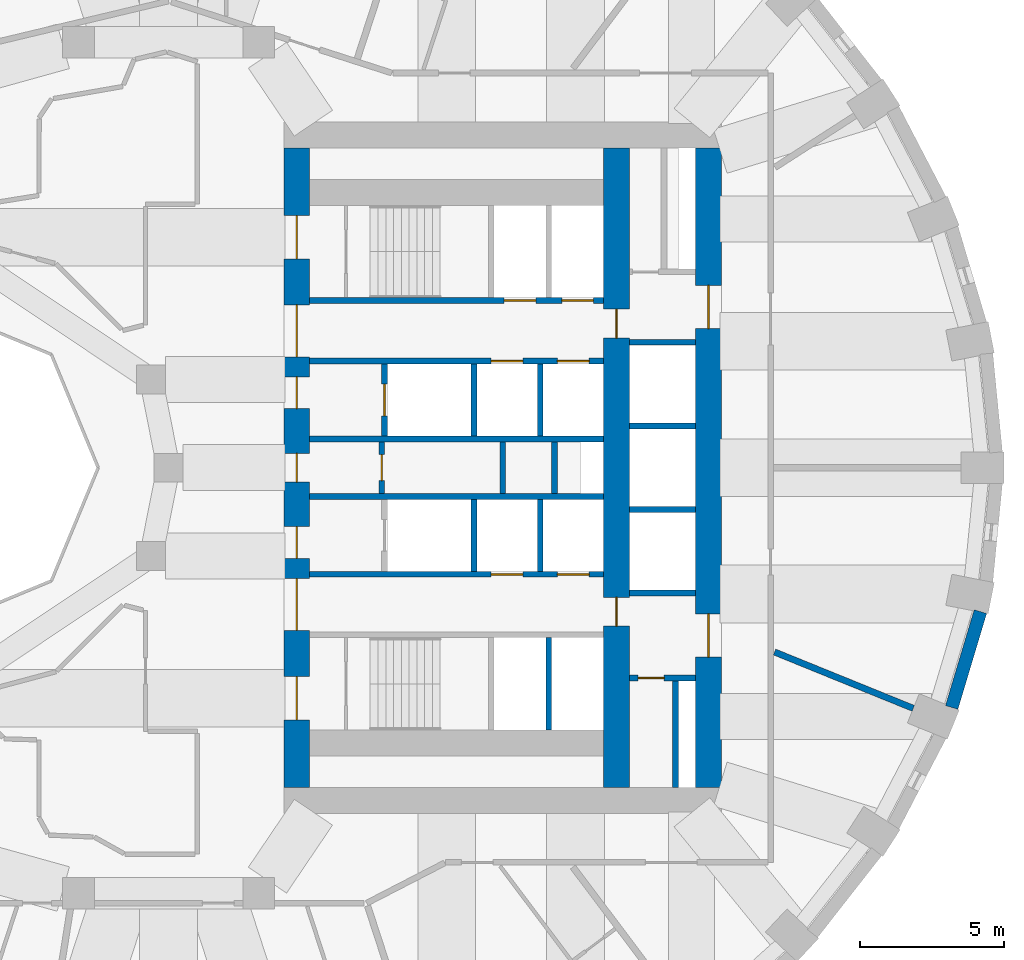
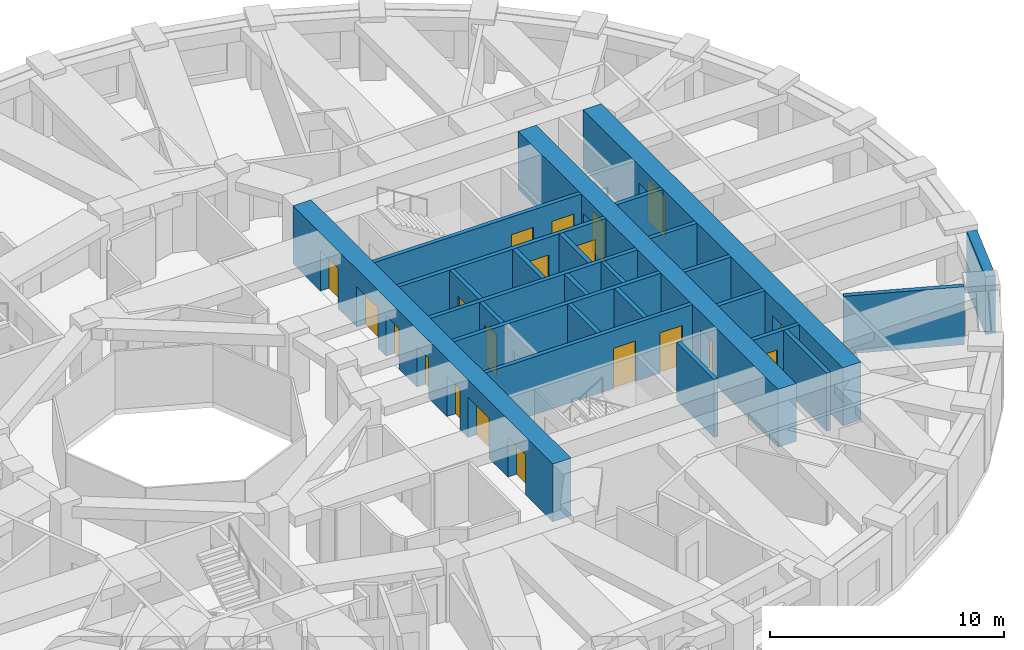
# One storey, part 6 of 13: 25 walls, 20 doors, 20 openings.
"""IFC4 building model written with IfcOpenShell, lengths in metres."""

from ifc_helpers import new_model, si_unit, direction, frame, frame_2d, origin, place, context, subcontext, project, spatial, rectangle, extrude, material, layer, layer_set, type_object, element, fill, save


model = new_model("IFC4")

# Units and contexts
model_context = context("Model", 3, precision=1e-05, world=origin(), true_north=direction((0.0, 1.0)))
body_context = subcontext(model_context, "Body", "Model", "MODEL_VIEW")
ifc_project = project(units=[si_unit("LENGTHUNIT", "METRE"), si_unit("AREAUNIT", "SQUARE_METRE"), si_unit("VOLUMEUNIT", "CUBIC_METRE"), si_unit("PLANEANGLEUNIT", "RADIAN"), si_unit("MASSUNIT", "GRAM", prefix="KILO")], contexts=[model_context])

# Site, building, storey
site_placement = place(None, origin())
site = spatial("IfcSite", under=ifc_project, at=site_placement, CompositionType="ELEMENT")
building_placement = place(site_placement, origin())
building = spatial("IfcBuilding", under=site, at=building_placement, Name="Taillehof Tower", CompositionType="ELEMENT")
storey_placement = place(building_placement, frame((0.0, 0.0, 77.800048828125)))
storey = spatial("IfcBuildingStorey", under=building, at=storey_placement, Name="L21", CompositionType="ELEMENT", Elevation=77.800048828125)

# Wall
ifc_material_1 = material(Name="Brick masonry", Category="masonry")
ifc_layer_1 = layer(ifc_material_1, 0.449951171875)
ifc_layer_set_1 = layer_set([ifc_layer_1], Name="Brick infill wall 450")
wall_type_1 = type_object("IfcWallType", Name="Brick infill wall 450", PredefinedType="SOLIDWALL", material=ifc_layer_set_1)
wall_1_placement = place(storey_placement, frame((27.184814453125, -8.322998046875, 0.0), z_axis=(0.0, 0.0, 1.0), x_axis=(0.287064133733, 0.957911364963, 0.0)))
element("IfcWall", 1, at=wall_1_placement, inside=storey, type_object=wall_type_1, Name="Brick wall L21 bay 35", PredefinedType="SOLIDWALL", context=body_context, shape_type="SweptSolid", body=[
    extrude(rectangle(XDim=3.473388671875, YDim=0.449951171875, at=frame_2d((1.73681640625, 0.0))), origin(), (0.0, 0.0, 1.0), 3.02001953125),
])

# Wall, opening, door
ifc_material_2 = material(Name="Calcium silicate masonry", Category="masonry")
ifc_layer_2 = layer(ifc_material_2, 0.199951171875)
ifc_layer_set_2 = layer_set([ifc_layer_2], Name="Compartment wall calcium silicate 200")
wall_type_2 = type_object("IfcWallType", Name="Compartment wall calcium silicate 200", PredefinedType="PARTITIONING", material=ifc_layer_set_2)
wall_2_placement = place(storey_placement, frame((7.39990234375, -0.89990234375, 0.0), z_axis=(0.0, 0.0, 1.0), x_axis=(0.0, 1.0, 0.0)))
wall_2 = element("IfcWall", 2, at=wall_2_placement, inside=storey, type_object=wall_type_2, Name="Compartment wall FW", PredefinedType="PARTITIONING", context=body_context, shape_type="SweptSolid", body=[
    extrude(rectangle(XDim=1.7998046875, YDim=0.199951171875, at=frame_2d((0.89990234375, 0.0))), origin(), (0.0, 0.0, 1.0), 3.02001953125),
])
opening_1_placement = place(wall_2_placement, frame((0.449951171875, 0.0, 0.0)))
opening_1 = element("IfcOpeningElement", 3, at=opening_1_placement, cuts=wall_2, Name="Opening D2114", PredefinedType="OPENING", context=body_context, shape_type="SweptSolid", body=[
    extrude(rectangle(XDim=0.89990234375, YDim=2.10009765625, at=frame_2d((0.449951171875, 1.050048828125))), frame((0.0, 0.10986328125, 0.0), z_axis=(0.0, -1.0, 0.0), x_axis=(1.0, 0.0, 0.0)), (0.0, 0.0, 1.0), 0.219970703125),
])
ifc_material_3 = material(Name="Steel-faced fire door", Category="steel")
door_type_1 = type_object("IfcDoorType", Name="Riser and service room door 900x2100", OperationType="SINGLE_SWING_LEFT", PredefinedType="DOOR", material=ifc_material_3)
door_1_placement = place(opening_1_placement, origin())
door_1 = element("IfcDoor", 4, at=door_1_placement, inside=storey, type_object=door_type_1, Name="Door Housekeeping Store", OperationType="SINGLE_SWING_RIGHT", OverallHeight=2.10009765625, OverallWidth=0.89990234375, PredefinedType="DOOR", context=body_context, shape_type="SweptSolid", body=[
    extrude(rectangle(XDim=0.89990234375, YDim=2.10009765625, at=frame_2d((0.449951171875, 1.050048828125))), frame((0.0, 0.02490234375, 0.0), z_axis=(0.0, -1.0, 0.0), x_axis=(1.0, 0.0, 0.0)), (0.0, 0.0, 1.0), 0.050048828125),
])
fill(opening_1, door_1)

# Walls
for number, where, z_axis, x_axis, name in (
    (5, (11.60009765625, -0.89990234375, 0.0), (0.0, 0.0, 1.0), (0.0, 1.0, 0.0), "Compartment wall FW"),
    (6, (13.39990234375, -0.89990234375, 0.0), (0.0, 0.0, 1.0), (0.0, 1.0, 0.0), "Compartment wall FW"),
):
    element("IfcWall", number, at=place(storey_placement, frame(where, z_axis=z_axis, x_axis=x_axis)), inside=storey, type_object=wall_type_2, Name=name, PredefinedType="PARTITIONING", context=body_context, shape_type="SweptSolid", body=[
        extrude(rectangle(XDim=1.7998046875, YDim=0.199951171875, at=frame_2d((0.89990234375, 0.0))), origin(), (0.0, 0.0, 1.0), 3.02001953125),
    ])

# Wall, opening, door
wall_3_placement = place(storey_placement, frame((16.0, -7.300048828125, 0.0), z_axis=(0.0, 0.0, 1.0), x_axis=(1.0, 0.0, 0.0)))
wall_3 = element("IfcWall", 7, at=wall_3_placement, inside=storey, type_object=wall_type_2, Name="Compartment wall FW", PredefinedType="PARTITIONING", context=body_context, shape_type="SweptSolid", body=[
    extrude(rectangle(XDim=2.300048828125, YDim=0.199951171875, at=frame_2d((1.14990234375, 0.0))), origin(), (0.0, 0.0, 1.0), 3.02001953125),
])
opening_2_placement = place(wall_3_placement, frame((0.300048828125, 0.0, 0.0)))
opening_2 = element("IfcOpeningElement", 8, at=opening_2_placement, cuts=wall_3, Name="Opening D2118", PredefinedType="OPENING", context=body_context, shape_type="SweptSolid", body=[
    extrude(rectangle(XDim=0.89990234375, YDim=2.10009765625, at=frame_2d((0.449951171875, 1.050048828125))), frame((0.0, 0.10986328125, 0.0), z_axis=(0.0, -1.0, 0.0), x_axis=(1.0, 0.0, 0.0)), (0.0, 0.0, 1.0), 0.219970703125),
])
door_2_placement = place(opening_2_placement, origin())
door_2 = element("IfcDoor", 9, at=door_2_placement, inside=storey, type_object=door_type_1, Name="Door Electrical Room", OperationType="SINGLE_SWING_LEFT", OverallHeight=2.10009765625, OverallWidth=0.89990234375, PredefinedType="DOOR", context=body_context, shape_type="SweptSolid", body=[
    extrude(rectangle(XDim=0.89990234375, YDim=2.10009765625, at=frame_2d((0.449951171875, 1.050048828125))), frame((0.0, 0.02490234375, 0.0), z_axis=(0.0, -1.0, 0.0), x_axis=(1.0, 0.0, 0.0)), (0.0, 0.0, 1.0), 0.050048828125),
])
fill(opening_2, door_2)

# Walls
wall_4_placement = place(storey_placement, frame((17.60009765625, -11.10009765625, 0.0), z_axis=(0.0, 0.0, 1.0), x_axis=(0.0, 1.0, 0.0)))
element("IfcWall", 10, at=wall_4_placement, inside=storey, type_object=wall_type_2, Name="Compartment wall FW", PredefinedType="PARTITIONING", context=body_context, shape_type="SweptSolid", body=[
    extrude(rectangle(XDim=3.7001953125, YDim=0.199951171875, at=frame_2d((1.85009765625, 0.0))), origin(), (0.0, 0.0, 1.0), 3.02001953125),
])
ifc_material_4 = material(Name="Gypsum board on double steel studs with mineral wool", Category="steel")
ifc_layer_3 = layer(ifc_material_4, 0.219970703125)
ifc_layer_set_3 = layer_set([ifc_layer_3], Name="Compartment wall guest room 220")
wall_type_3 = type_object("IfcWallType", Name="Compartment wall guest room 220", PredefinedType="PARTITIONING", material=ifc_layer_set_3)
wall_5_placement = place(storey_placement, frame((25.851318359375, -8.35400390625, 0.0), z_axis=(0.0, 0.0, 1.0), x_axis=(-0.926545919269, 0.376181684145, 0.0)))
element("IfcWall", 11, at=wall_5_placement, inside=storey, type_object=wall_type_3, Name="Compartment wall", PredefinedType="PARTITIONING", context=body_context, shape_type="SweptSolid", body=[
    extrude(rectangle(XDim=5.19580078125, YDim=0.219970703125, at=frame_2d((2.597900390625, 0.0))), origin(), (0.0, 0.0, 1.0), 3.02001953125),
])

# Wall, openings, doors
ifc_material_5 = material(Name="Concrete C80/95", Category="concrete")
ifc_layer_4 = layer(ifc_material_5, 0.89990234375)
ifc_layer_set_4 = layer_set([ifc_layer_4], Name="Core wall C80/95 900")
wall_type_4 = type_object("IfcWallType", Name="Core wall C80/95 900", PredefinedType="SHEAR", material=ifc_layer_set_4)
wall_6_placement = place(storey_placement, frame((4.449951171875, -11.10009765625, 0.0), z_axis=(0.0, 0.0, 1.0), x_axis=(0.0, 1.0, 0.0)))
wall_6 = element("IfcWall", 12, at=wall_6_placement, inside=storey, type_object=wall_type_4, Name="Core wall CW01", PredefinedType="SHEAR", context=body_context, shape_type="SweptSolid", body=[
    extrude(rectangle(XDim=22.2001953125, YDim=0.89990234375, at=frame_2d((11.10009765625, 0.0))), origin(), (0.0, 0.0, 1.0), 3.02001953125),
])
opening_3_placement = place(wall_6_placement, frame((2.35009765625, 0.0, 0.0)))
opening_3 = element("IfcOpeningElement", 13, at=opening_3_placement, cuts=wall_6, Name="Opening D2101", PredefinedType="OPENING", context=body_context, shape_type="SweptSolid", body=[
    extrude(rectangle(XDim=1.5, YDim=2.10009765625, at=frame_2d((0.75, 1.050048828125))), frame((0.0, 0.4599609375, 0.0), z_axis=(0.0, -1.0, 0.0), x_axis=(1.0, 0.0, 0.0)), (0.0, 0.0, 1.0), 0.919921875),
])
opening_4_placement = place(wall_6_placement, frame((5.449951171875, 0.0, 0.0)))
opening_4 = element("IfcOpeningElement", 14, at=opening_4_placement, cuts=wall_6, Name="Opening D2102", PredefinedType="OPENING", context=body_context, shape_type="SweptSolid", body=[
    extrude(rectangle(XDim=1.800048828125, YDim=2.10009765625, at=frame_2d((0.89990234375, 1.050048828125))), frame((0.0, 0.4599609375, 0.0), z_axis=(0.0, -1.0, 0.0), x_axis=(1.0, 0.0, 0.0)), (0.0, 0.0, 1.0), 0.919921875),
])
opening_5_placement = place(wall_6_placement, frame((7.949951171875, 0.0, 0.0)))
opening_5 = element("IfcOpeningElement", 15, at=opening_5_placement, cuts=wall_6, Name="Opening D2103", PredefinedType="OPENING", context=body_context, shape_type="SweptSolid", body=[
    extrude(rectangle(XDim=1.10009765625, YDim=2.10009765625, at=frame_2d((0.550048828125, 1.050048828125))), frame((0.0, 0.4599609375, 0.0), z_axis=(0.0, -1.0, 0.0), x_axis=(1.0, 0.0, 0.0)), (0.0, 0.0, 1.0), 0.919921875),
])
opening_6_placement = place(wall_6_placement, frame((10.60009765625, 0.0, 0.0)))
opening_6 = element("IfcOpeningElement", 16, at=opening_6_placement, cuts=wall_6, Name="Opening D2104", PredefinedType="OPENING", context=body_context, shape_type="SweptSolid", body=[
    extrude(rectangle(XDim=1.0, YDim=2.10009765625, at=frame_2d((0.5, 1.050048828125))), frame((0.0, 0.4599609375, 0.0), z_axis=(0.0, -1.0, 0.0), x_axis=(1.0, 0.0, 0.0)), (0.0, 0.0, 1.0), 0.919921875),
])
opening_7_placement = place(wall_6_placement, frame((13.14990234375, 0.0, 0.0)))
opening_7 = element("IfcOpeningElement", 17, at=opening_7_placement, cuts=wall_6, Name="Opening D2105", PredefinedType="OPENING", context=body_context, shape_type="SweptSolid", body=[
    extrude(rectangle(XDim=1.10009765625, YDim=2.10009765625, at=frame_2d((0.550048828125, 1.050048828125))), frame((0.0, 0.4599609375, 0.0), z_axis=(0.0, -1.0, 0.0), x_axis=(1.0, 0.0, 0.0)), (0.0, 0.0, 1.0), 0.919921875),
])
opening_8_placement = place(wall_6_placement, frame((14.949951171875, 0.0, 0.0)))
opening_8 = element("IfcOpeningElement", 18, at=opening_8_placement, cuts=wall_6, Name="Opening D2106", PredefinedType="OPENING", context=body_context, shape_type="SweptSolid", body=[
    extrude(rectangle(XDim=1.800048828125, YDim=2.10009765625, at=frame_2d((0.89990234375, 1.050048828125))), frame((0.0, 0.4599609375, 0.0), z_axis=(0.0, -1.0, 0.0), x_axis=(1.0, 0.0, 0.0)), (0.0, 0.0, 1.0), 0.919921875),
])
opening_9_placement = place(wall_6_placement, frame((18.35009765625, 0.0, 0.0)))
opening_9 = element("IfcOpeningElement", 19, at=opening_9_placement, cuts=wall_6, Name="Opening D2107", PredefinedType="OPENING", context=body_context, shape_type="SweptSolid", body=[
    extrude(rectangle(XDim=1.5, YDim=2.10009765625, at=frame_2d((0.75, 1.050048828125))), frame((0.0, 0.4599609375, 0.0), z_axis=(0.0, -1.0, 0.0), x_axis=(1.0, 0.0, 0.0)), (0.0, 0.0, 1.0), 0.919921875),
])
ifc_material_6 = material(Name="Steel-faced fire door", Category="steel")
door_type_2 = type_object("IfcDoorType", Name="Firefighting lobby door 1100x2100", OperationType="SINGLE_SWING_RIGHT", PredefinedType="DOOR", material=ifc_material_6)
door_3_placement = place(opening_5_placement, origin())
door_3 = element("IfcDoor", 20, at=door_3_placement, inside=storey, type_object=door_type_2, Name="Firefighting lobby door FFL-S", OperationType="SINGLE_SWING_RIGHT", OverallHeight=2.10009765625, OverallWidth=1.10009765625, PredefinedType="DOOR", context=body_context, shape_type="SweptSolid", body=[
    extrude(rectangle(XDim=1.10009765625, YDim=2.10009765625, at=frame_2d((0.550048828125, 1.050048828125))), frame((0.0, 0.02490234375, 0.0), z_axis=(0.0, -1.0, 0.0), x_axis=(1.0, 0.0, 0.0)), (0.0, 0.0, 1.0), 0.050048828125),
])
fill(opening_5, door_3)
door_4_placement = place(opening_7_placement, origin())
door_4 = element("IfcDoor", 21, at=door_4_placement, inside=storey, type_object=door_type_2, Name="Firefighting lobby door FFL-N", OperationType="SINGLE_SWING_LEFT", OverallHeight=2.10009765625, OverallWidth=1.10009765625, PredefinedType="DOOR", context=body_context, shape_type="SweptSolid", body=[
    extrude(rectangle(XDim=1.10009765625, YDim=2.10009765625, at=frame_2d((0.550048828125, 1.050048828125))), frame((0.0, 0.02490234375, 0.0), z_axis=(0.0, -1.0, 0.0), x_axis=(1.0, 0.0, 0.0)), (0.0, 0.0, 1.0), 0.050048828125),
])
fill(opening_7, door_4)
ifc_material_7 = material(Name="Steel-faced fire door", Category="steel")
door_type_3 = type_object("IfcDoorType", Name="Lift lobby door 1800x2100", OperationType="DOUBLE_DOOR_SINGLE_SWING", PredefinedType="DOOR", material=ifc_material_7)
door_5_placement = place(opening_4_placement, origin())
door_5 = element("IfcDoor", 22, at=door_5_placement, inside=storey, type_object=door_type_3, Name="Lift lobby door LL-S", OperationType="DOUBLE_DOOR_SINGLE_SWING", OverallHeight=2.10009765625, OverallWidth=1.800048828125, PredefinedType="DOOR", context=body_context, shape_type="SweptSolid", body=[
    extrude(rectangle(XDim=1.800048828125, YDim=2.10009765625, at=frame_2d((0.89990234375, 1.050048828125))), frame((0.0, 0.02490234375, 0.0), z_axis=(0.0, -1.0, 0.0), x_axis=(1.0, 0.0, 0.0)), (0.0, 0.0, 1.0), 0.050048828125),
])
fill(opening_4, door_5)
door_6_placement = place(opening_8_placement, origin())
door_6 = element("IfcDoor", 23, at=door_6_placement, inside=storey, type_object=door_type_3, Name="Lift lobby door LL-N", OperationType="DOUBLE_DOOR_SINGLE_SWING", OverallHeight=2.10009765625, OverallWidth=1.800048828125, PredefinedType="DOOR", context=body_context, shape_type="SweptSolid", body=[
    extrude(rectangle(XDim=1.800048828125, YDim=2.10009765625, at=frame_2d((0.89990234375, 1.050048828125))), frame((0.0, 0.02490234375, 0.0), z_axis=(0.0, -1.0, 0.0), x_axis=(1.0, 0.0, 0.0)), (0.0, 0.0, 1.0), 0.050048828125),
])
fill(opening_8, door_6)
ifc_material_8 = material(Name="Steel-faced fire door", Category="steel")
door_type_4 = type_object("IfcDoorType", Name="Service door 1000x2100", OperationType="SINGLE_SWING_RIGHT", PredefinedType="DOOR", material=ifc_material_8)
door_7_placement = place(opening_6_placement, origin())
door_7 = element("IfcDoor", 24, at=door_7_placement, inside=storey, type_object=door_type_4, Name="Service door SV", OperationType="SINGLE_SWING_RIGHT", OverallHeight=2.10009765625, OverallWidth=1.0, PredefinedType="DOOR", context=body_context, shape_type="SweptSolid", body=[
    extrude(rectangle(XDim=1.0, YDim=2.10009765625, at=frame_2d((0.5, 1.050048828125))), frame((0.0, 0.02490234375, 0.0), z_axis=(0.0, -1.0, 0.0), x_axis=(1.0, 0.0, 0.0)), (0.0, 0.0, 1.0), 0.050048828125),
])
fill(opening_6, door_7)
ifc_material_9 = material(Name="Steel-faced fire door", Category="steel")
door_type_5 = type_object("IfcDoorType", Name="Stair door 1500x2100", OperationType="DOUBLE_DOOR_SINGLE_SWING", PredefinedType="DOOR", material=ifc_material_9)
door_8_placement = place(opening_3_placement, origin())
door_8 = element("IfcDoor", 25, at=door_8_placement, inside=storey, type_object=door_type_5, Name="Stair door S2", OperationType="DOUBLE_DOOR_SINGLE_SWING", OverallHeight=2.10009765625, OverallWidth=1.5, PredefinedType="DOOR", context=body_context, shape_type="SweptSolid", body=[
    extrude(rectangle(XDim=1.5, YDim=2.10009765625, at=frame_2d((0.75, 1.050048828125))), frame((0.0, 0.02490234375, 0.0), z_axis=(0.0, -1.0, 0.0), x_axis=(1.0, 0.0, 0.0)), (0.0, 0.0, 1.0), 0.050048828125),
])
fill(opening_3, door_8)
door_9_placement = place(opening_9_placement, origin())
door_9 = element("IfcDoor", 26, at=door_9_placement, inside=storey, type_object=door_type_5, Name="Stair door S1", OperationType="DOUBLE_DOOR_SINGLE_SWING", OverallHeight=2.10009765625, OverallWidth=1.5, PredefinedType="DOOR", context=body_context, shape_type="SweptSolid", body=[
    extrude(rectangle(XDim=1.5, YDim=2.10009765625, at=frame_2d((0.75, 1.050048828125))), frame((0.0, 0.02490234375, 0.0), z_axis=(0.0, -1.0, 0.0), x_axis=(1.0, 0.0, 0.0)), (0.0, 0.0, 1.0), 0.050048828125),
])
fill(opening_9, door_9)

wall_7_placement = place(storey_placement, frame((18.75, -11.10009765625, 0.0), z_axis=(0.0, 0.0, 1.0), x_axis=(0.0, 1.0, 0.0)))
wall_7 = element("IfcWall", 27, at=wall_7_placement, inside=storey, type_object=wall_type_4, Name="Core wall CW02", PredefinedType="SHEAR", context=body_context, shape_type="SweptSolid", body=[
    extrude(rectangle(XDim=22.2001953125, YDim=0.89990234375, at=frame_2d((11.10009765625, 0.0))), origin(), (0.0, 0.0, 1.0), 3.02001953125),
])
opening_10_placement = place(wall_7_placement, frame((15.925048828125, 0.0, 0.0)))
opening_10 = element("IfcOpeningElement", 28, at=opening_10_placement, cuts=wall_7, Name="Opening D2108", PredefinedType="OPENING", context=body_context, shape_type="SweptSolid", body=[
    extrude(rectangle(XDim=1.5, YDim=2.10009765625, at=frame_2d((0.75, 1.050048828125))), frame((0.0, 0.4599609375, 0.0), z_axis=(0.0, -1.0, 0.0), x_axis=(1.0, 0.0, 0.0)), (0.0, 0.0, 1.0), 0.919921875),
])
opening_11_placement = place(wall_7_placement, frame((4.52490234375, 0.0, 0.0)))
opening_11 = element("IfcOpeningElement", 29, at=opening_11_placement, cuts=wall_7, Name="Opening D2109", PredefinedType="OPENING", context=body_context, shape_type="SweptSolid", body=[
    extrude(rectangle(XDim=1.5, YDim=2.10009765625, at=frame_2d((0.75, 1.050048828125))), frame((0.0, 0.4599609375, 0.0), z_axis=(0.0, -1.0, 0.0), x_axis=(1.0, 0.0, 0.0)), (0.0, 0.0, 1.0), 0.919921875),
])
ifc_material_10 = material(Name="Steel-faced fire door", Category="steel")
door_type_6 = type_object("IfcDoorType", Name="Lift lobby east door 1500x2100", OperationType="DOUBLE_DOOR_SINGLE_SWING", PredefinedType="DOOR", material=ifc_material_10)
door_10_placement = place(opening_10_placement, origin())
door_10 = element("IfcDoor", 30, at=door_10_placement, inside=storey, type_object=door_type_6, Name="Lift lobby east door north", OperationType="DOUBLE_DOOR_SINGLE_SWING", OverallHeight=2.10009765625, OverallWidth=1.5, PredefinedType="DOOR", context=body_context, shape_type="SweptSolid", body=[
    extrude(rectangle(XDim=1.5, YDim=2.10009765625, at=frame_2d((0.75, 1.050048828125))), frame((0.0, 0.02490234375, 0.0), z_axis=(0.0, -1.0, 0.0), x_axis=(1.0, 0.0, 0.0)), (0.0, 0.0, 1.0), 0.050048828125),
])
fill(opening_10, door_10)
door_11_placement = place(opening_11_placement, origin())
door_11 = element("IfcDoor", 31, at=door_11_placement, inside=storey, type_object=door_type_6, Name="Lift lobby east door south", OperationType="DOUBLE_DOOR_SINGLE_SWING", OverallHeight=2.10009765625, OverallWidth=1.5, PredefinedType="DOOR", context=body_context, shape_type="SweptSolid", body=[
    extrude(rectangle(XDim=1.5, YDim=2.10009765625, at=frame_2d((0.75, 1.050048828125))), frame((0.0, 0.02490234375, 0.0), z_axis=(0.0, -1.0, 0.0), x_axis=(1.0, 0.0, 0.0)), (0.0, 0.0, 1.0), 0.050048828125),
])
fill(opening_11, door_11)

wall_8_placement = place(storey_placement, frame((15.550048828125, -11.10009765625, 0.0), z_axis=(0.0, 0.0, 1.0), x_axis=(0.0, 1.0, 0.0)))
wall_8 = element("IfcWall", 32, at=wall_8_placement, inside=storey, type_object=wall_type_4, Name="Core wall CW05", PredefinedType="SHEAR", context=body_context, shape_type="SweptSolid", body=[
    extrude(rectangle(XDim=22.2001953125, YDim=0.89990234375, at=frame_2d((11.10009765625, 0.0))), origin(), (0.0, 0.0, 1.0), 3.02001953125),
])
opening_12_placement = place(wall_8_placement, frame((15.60009765625, 0.0, 0.0)))
opening_12 = element("IfcOpeningElement", 33, at=opening_12_placement, cuts=wall_8, Name="Opening D2115", PredefinedType="OPENING", context=body_context, shape_type="SweptSolid", body=[
    extrude(rectangle(XDim=1.0, YDim=2.10009765625, at=frame_2d((0.5, 1.050048828125))), frame((0.0, 0.4599609375, 0.0), z_axis=(0.0, -1.0, 0.0), x_axis=(1.0, 0.0, 0.0)), (0.0, 0.0, 1.0), 0.919921875),
])
opening_13_placement = place(wall_8_placement, frame((5.60009765625, 0.0, 0.0)))
opening_13 = element("IfcOpeningElement", 34, at=opening_13_placement, cuts=wall_8, Name="Opening D2117", PredefinedType="OPENING", context=body_context, shape_type="SweptSolid", body=[
    extrude(rectangle(XDim=1.0, YDim=2.10009765625, at=frame_2d((0.5, 1.050048828125))), frame((0.0, 0.4599609375, 0.0), z_axis=(0.0, -1.0, 0.0), x_axis=(1.0, 0.0, 0.0)), (0.0, 0.0, 1.0), 0.919921875),
])
door_12_placement = place(opening_12_placement, origin())
door_12 = element("IfcDoor", 35, at=door_12_placement, inside=storey, type_object=door_type_4, Name="Service door strip", OperationType="SINGLE_SWING_RIGHT", OverallHeight=2.10009765625, OverallWidth=1.0, PredefinedType="DOOR", context=body_context, shape_type="SweptSolid", body=[
    extrude(rectangle(XDim=1.0, YDim=2.10009765625, at=frame_2d((0.5, 1.050048828125))), frame((0.0, 0.02490234375, 0.0), z_axis=(0.0, -1.0, 0.0), x_axis=(1.0, 0.0, 0.0)), (0.0, 0.0, 1.0), 0.050048828125),
])
fill(opening_12, door_12)
door_13_placement = place(opening_13_placement, origin())
door_13 = element("IfcDoor", 36, at=door_13_placement, inside=storey, type_object=door_type_4, Name="Service door strip", OperationType="SINGLE_SWING_LEFT", OverallHeight=2.10009765625, OverallWidth=1.0, PredefinedType="DOOR", context=body_context, shape_type="SweptSolid", body=[
    extrude(rectangle(XDim=1.0, YDim=2.10009765625, at=frame_2d((0.5, 1.050048828125))), frame((0.0, 0.02490234375, 0.0), z_axis=(0.0, -1.0, 0.0), x_axis=(1.0, 0.0, 0.0)), (0.0, 0.0, 1.0), 0.050048828125),
])
fill(opening_13, door_13)

ifc_material_11 = material(Name="Concrete C50/60", Category="concrete")
ifc_layer_5 = layer(ifc_material_11, 0.199951171875)
ifc_layer_set_5 = layer_set([ifc_layer_5], Name="Shaft wall C50/60 200")
wall_type_5 = type_object("IfcWallType", Name="Shaft wall C50/60 200", PredefinedType="SHEAR", material=ifc_layer_set_5)
wall_9_placement = place(storey_placement, frame((4.89990234375, 5.800048828125, 0.0), z_axis=(0.0, 0.0, 1.0), x_axis=(1.0, 0.0, 0.0)))
wall_9 = element("IfcWall", 37, at=wall_9_placement, inside=storey, type_object=wall_type_5, Name="Shaft wall SW", PredefinedType="SHEAR", context=body_context, shape_type="SweptSolid", body=[
    extrude(rectangle(XDim=10.2001953125, YDim=0.199951171875, at=frame_2d((5.10009765625, 0.0))), origin(), (0.0, 0.0, 1.0), 3.02001953125),
])
opening_14_placement = place(wall_9_placement, frame((6.75, 0.0, 0.0)))
opening_14 = element("IfcOpeningElement", 38, at=opening_14_placement, cuts=wall_9, Name="Opening LD1", PredefinedType="OPENING", context=body_context, shape_type="SweptSolid", body=[
    extrude(rectangle(XDim=1.10009765625, YDim=2.10009765625, at=frame_2d((0.550048828125, 1.050048828125))), frame((0.0, 0.10986328125, 0.0), z_axis=(0.0, -1.0, 0.0), x_axis=(1.0, 0.0, 0.0)), (0.0, 0.0, 1.0), 0.219970703125),
])
opening_15_placement = place(wall_9_placement, frame((8.75, 0.0, 0.0)))
opening_15 = element("IfcOpeningElement", 39, at=opening_15_placement, cuts=wall_9, Name="Opening LD1", PredefinedType="OPENING", context=body_context, shape_type="SweptSolid", body=[
    extrude(rectangle(XDim=1.10009765625, YDim=2.10009765625, at=frame_2d((0.550048828125, 1.050048828125))), frame((0.0, 0.10986328125, 0.0), z_axis=(0.0, -1.0, 0.0), x_axis=(1.0, 0.0, 0.0)), (0.0, 0.0, 1.0), 0.219970703125),
])
ifc_material_12 = material(Name="Stainless steel", Category="steel")
door_type_7 = type_object("IfcDoorType", Name="Lift landing door LD1 1100x2100", OperationType="DOUBLE_DOOR_SLIDING", PredefinedType="DOOR", material=ifc_material_12)
door_14_placement = place(opening_14_placement, origin())
door_14 = element("IfcDoor", 40, at=door_14_placement, inside=storey, type_object=door_type_7, Name="Landing door LR1", OperationType="DOUBLE_DOOR_SLIDING", OverallHeight=2.10009765625, OverallWidth=1.10009765625, PredefinedType="DOOR", context=body_context, shape_type="SweptSolid", body=[
    extrude(rectangle(XDim=1.10009765625, YDim=2.10009765625, at=frame_2d((0.550048828125, 1.050048828125))), frame((0.0, 0.02490234375, 0.0), z_axis=(0.0, -1.0, 0.0), x_axis=(1.0, 0.0, 0.0)), (0.0, 0.0, 1.0), 0.050048828125),
])
fill(opening_14, door_14)
door_15_placement = place(opening_15_placement, origin())
door_15 = element("IfcDoor", 41, at=door_15_placement, inside=storey, type_object=door_type_7, Name="Landing door LR2", OperationType="DOUBLE_DOOR_SLIDING", OverallHeight=2.10009765625, OverallWidth=1.10009765625, PredefinedType="DOOR", context=body_context, shape_type="SweptSolid", body=[
    extrude(rectangle(XDim=1.10009765625, YDim=2.10009765625, at=frame_2d((0.550048828125, 1.050048828125))), frame((0.0, 0.02490234375, 0.0), z_axis=(0.0, -1.0, 0.0), x_axis=(1.0, 0.0, 0.0)), (0.0, 0.0, 1.0), 0.050048828125),
])
fill(opening_15, door_15)

wall_10_placement = place(storey_placement, frame((4.89990234375, 3.699951171875, 0.0), z_axis=(0.0, 0.0, 1.0), x_axis=(1.0, 0.0, 0.0)))
wall_10 = element("IfcWall", 42, at=wall_10_placement, inside=storey, type_object=wall_type_5, Name="Shaft wall SW", PredefinedType="SHEAR", context=body_context, shape_type="SweptSolid", body=[
    extrude(rectangle(XDim=10.2001953125, YDim=0.199951171875, at=frame_2d((5.10009765625, 0.0))), origin(), (0.0, 0.0, 1.0), 3.02001953125),
])
opening_16_placement = place(wall_10_placement, frame((6.300048828125, 0.0, 0.0)))
opening_16 = element("IfcOpeningElement", 43, at=opening_16_placement, cuts=wall_10, Name="Opening LD1", PredefinedType="OPENING", context=body_context, shape_type="SweptSolid", body=[
    extrude(rectangle(XDim=1.10009765625, YDim=2.10009765625, at=frame_2d((0.550048828125, 1.050048828125))), frame((0.0, 0.10986328125, 0.0), z_axis=(0.0, -1.0, 0.0), x_axis=(1.0, 0.0, 0.0)), (0.0, 0.0, 1.0), 0.219970703125),
])
opening_17_placement = place(wall_10_placement, frame((8.60009765625, 0.0, 0.0)))
opening_17 = element("IfcOpeningElement", 44, at=opening_17_placement, cuts=wall_10, Name="Opening LD1", PredefinedType="OPENING", context=body_context, shape_type="SweptSolid", body=[
    extrude(rectangle(XDim=1.10009765625, YDim=2.10009765625, at=frame_2d((0.550048828125, 1.050048828125))), frame((0.0, 0.10986328125, 0.0), z_axis=(0.0, -1.0, 0.0), x_axis=(1.0, 0.0, 0.0)), (0.0, 0.0, 1.0), 0.219970703125),
])
door_16_placement = place(opening_16_placement, origin())
door_16 = element("IfcDoor", 45, at=door_16_placement, inside=storey, type_object=door_type_7, Name="Landing door LR3", OperationType="DOUBLE_DOOR_SLIDING", OverallHeight=2.10009765625, OverallWidth=1.10009765625, PredefinedType="DOOR", context=body_context, shape_type="SweptSolid", body=[
    extrude(rectangle(XDim=1.10009765625, YDim=2.10009765625, at=frame_2d((0.550048828125, 1.050048828125))), frame((0.0, 0.02490234375, 0.0), z_axis=(0.0, -1.0, 0.0), x_axis=(1.0, 0.0, 0.0)), (0.0, 0.0, 1.0), 0.050048828125),
])
fill(opening_16, door_16)
door_17_placement = place(opening_17_placement, origin())
door_17 = element("IfcDoor", 46, at=door_17_placement, inside=storey, type_object=door_type_7, Name="Landing door LR4", OperationType="DOUBLE_DOOR_SLIDING", OverallHeight=2.10009765625, OverallWidth=1.10009765625, PredefinedType="DOOR", context=body_context, shape_type="SweptSolid", body=[
    extrude(rectangle(XDim=1.10009765625, YDim=2.10009765625, at=frame_2d((0.550048828125, 1.050048828125))), frame((0.0, 0.02490234375, 0.0), z_axis=(0.0, -1.0, 0.0), x_axis=(1.0, 0.0, 0.0)), (0.0, 0.0, 1.0), 0.050048828125),
])
fill(opening_17, door_17)

# Walls
for number, where, z_axis, x_axis, name in (
    (47, (4.89990234375, 1.0, 0.0), (0.0, 0.0, 1.0), (1.0, 0.0, 0.0), "Shaft wall SW"),
    (48, (4.89990234375, -1.0, 0.0), (0.0, 0.0, 1.0), (1.0, 0.0, 0.0), "Shaft wall SW"),
):
    element("IfcWall", number, at=place(storey_placement, frame(where, z_axis=z_axis, x_axis=x_axis)), inside=storey, type_object=wall_type_5, Name=name, PredefinedType="SHEAR", context=body_context, shape_type="SweptSolid", body=[
        extrude(rectangle(XDim=10.2001953125, YDim=0.199951171875, at=frame_2d((5.10009765625, 0.0))), origin(), (0.0, 0.0, 1.0), 3.02001953125),
    ])

# Wall, openings, doors
wall_11_placement = place(storey_placement, frame((4.89990234375, -3.699951171875, 0.0), z_axis=(0.0, 0.0, 1.0), x_axis=(1.0, 0.0, 0.0)))
wall_11 = element("IfcWall", 49, at=wall_11_placement, inside=storey, type_object=wall_type_5, Name="Shaft wall SW", PredefinedType="SHEAR", context=body_context, shape_type="SweptSolid", body=[
    extrude(rectangle(XDim=10.2001953125, YDim=0.199951171875, at=frame_2d((5.10009765625, 0.0))), origin(), (0.0, 0.0, 1.0), 3.02001953125),
])
opening_18_placement = place(wall_11_placement, frame((6.300048828125, 0.0, 0.0)))
opening_18 = element("IfcOpeningElement", 50, at=opening_18_placement, cuts=wall_11, Name="Opening LD1", PredefinedType="OPENING", context=body_context, shape_type="SweptSolid", body=[
    extrude(rectangle(XDim=1.10009765625, YDim=2.10009765625, at=frame_2d((0.550048828125, 1.050048828125))), frame((0.0, 0.10986328125, 0.0), z_axis=(0.0, -1.0, 0.0), x_axis=(1.0, 0.0, 0.0)), (0.0, 0.0, 1.0), 0.219970703125),
])
opening_19_placement = place(wall_11_placement, frame((8.60009765625, 0.0, 0.0)))
opening_19 = element("IfcOpeningElement", 51, at=opening_19_placement, cuts=wall_11, Name="Opening LD1", PredefinedType="OPENING", context=body_context, shape_type="SweptSolid", body=[
    extrude(rectangle(XDim=1.10009765625, YDim=2.10009765625, at=frame_2d((0.550048828125, 1.050048828125))), frame((0.0, 0.10986328125, 0.0), z_axis=(0.0, -1.0, 0.0), x_axis=(1.0, 0.0, 0.0)), (0.0, 0.0, 1.0), 0.219970703125),
])
door_18_placement = place(opening_18_placement, origin())
door_18 = element("IfcDoor", 52, at=door_18_placement, inside=storey, type_object=door_type_7, Name="Landing door LR5", OperationType="DOUBLE_DOOR_SLIDING", OverallHeight=2.10009765625, OverallWidth=1.10009765625, PredefinedType="DOOR", context=body_context, shape_type="SweptSolid", body=[
    extrude(rectangle(XDim=1.10009765625, YDim=2.10009765625, at=frame_2d((0.550048828125, 1.050048828125))), frame((0.0, 0.02490234375, 0.0), z_axis=(0.0, -1.0, 0.0), x_axis=(1.0, 0.0, 0.0)), (0.0, 0.0, 1.0), 0.050048828125),
])
fill(opening_18, door_18)
door_19_placement = place(opening_19_placement, origin())
door_19 = element("IfcDoor", 53, at=door_19_placement, inside=storey, type_object=door_type_7, Name="Landing door LR6", OperationType="DOUBLE_DOOR_SLIDING", OverallHeight=2.10009765625, OverallWidth=1.10009765625, PredefinedType="DOOR", context=body_context, shape_type="SweptSolid", body=[
    extrude(rectangle(XDim=1.10009765625, YDim=2.10009765625, at=frame_2d((0.550048828125, 1.050048828125))), frame((0.0, 0.02490234375, 0.0), z_axis=(0.0, -1.0, 0.0), x_axis=(1.0, 0.0, 0.0)), (0.0, 0.0, 1.0), 0.050048828125),
])
fill(opening_19, door_19)

# Wall
wall_12_placement = place(storey_placement, frame((13.199951171875, -9.10009765625, 0.0), z_axis=(0.0, 0.0, 1.0), x_axis=(0.0, 1.0, 0.0)))
element("IfcWall", 54, at=wall_12_placement, inside=storey, type_object=wall_type_5, Name="Shaft wall SW", PredefinedType="SHEAR", context=body_context, shape_type="SweptSolid", body=[
    extrude(rectangle(XDim=3.2001953125, YDim=0.199951171875, at=frame_2d((1.60009765625, 0.0))), origin(), (0.0, 0.0, 1.0), 3.02001953125),
])

# Wall, opening, door
wall_13_placement = place(storey_placement, frame((7.5, 1.10009765625, 0.0), z_axis=(0.0, 0.0, 1.0), x_axis=(0.0, 1.0, 0.0)))
wall_13 = element("IfcWall", 55, at=wall_13_placement, inside=storey, type_object=wall_type_5, Name="Shaft wall SW", PredefinedType="SHEAR", context=body_context, shape_type="SweptSolid", body=[
    extrude(rectangle(XDim=2.5, YDim=0.199951171875, at=frame_2d((1.25, 0.0))), origin(), (0.0, 0.0, 1.0), 3.02001953125),
])
opening_20_placement = place(wall_13_placement, frame((0.699951171875, 0.0, 0.0)))
opening_20 = element("IfcOpeningElement", 56, at=opening_20_placement, cuts=wall_13, Name="Opening LD1", PredefinedType="OPENING", context=body_context, shape_type="SweptSolid", body=[
    extrude(rectangle(XDim=1.10009765625, YDim=2.10009765625, at=frame_2d((0.550048828125, 1.050048828125))), frame((0.0, 0.10986328125, 0.0), z_axis=(0.0, -1.0, 0.0), x_axis=(1.0, 0.0, 0.0)), (0.0, 0.0, 1.0), 0.219970703125),
])
door_20_placement = place(opening_20_placement, origin())
door_20 = element("IfcDoor", 57, at=door_20_placement, inside=storey, type_object=door_type_7, Name="Landing door FF1", OperationType="DOUBLE_DOOR_SLIDING", OverallHeight=2.10009765625, OverallWidth=1.10009765625, PredefinedType="DOOR", context=body_context, shape_type="SweptSolid", body=[
    extrude(rectangle(XDim=1.10009765625, YDim=2.10009765625, at=frame_2d((0.550048828125, 1.050048828125))), frame((0.0, 0.02490234375, 0.0), z_axis=(0.0, -1.0, 0.0), x_axis=(1.0, 0.0, 0.0)), (0.0, 0.0, 1.0), 0.050048828125),
])
fill(opening_20, door_20)

# Walls
for number, where, z_axis, x_axis, name in (
    (58, (10.60009765625, 1.10009765625, 0.0), (0.0, 0.0, 1.0), (0.0, 1.0, 0.0), "Shaft wall SW"),
    (59, (10.60009765625, -3.60009765625, 0.0), (0.0, 0.0, 1.0), (0.0, 1.0, 0.0), "Shaft wall SW"),
    (60, (12.89990234375, 1.10009765625, 0.0), (0.0, 0.0, 1.0), (0.0, 1.0, 0.0), "Shaft wall SW"),
    (61, (12.89990234375, -3.60009765625, 0.0), (0.0, 0.0, 1.0), (0.0, 1.0, 0.0), "Shaft wall SW"),
):
    element("IfcWall", number, at=place(storey_placement, frame(where, z_axis=z_axis, x_axis=x_axis)), inside=storey, type_object=wall_type_5, Name=name, PredefinedType="SHEAR", context=body_context, shape_type="SweptSolid", body=[
        extrude(rectangle(XDim=2.5, YDim=0.199951171875, at=frame_2d((1.25, 0.0))), origin(), (0.0, 0.0, 1.0), 3.02001953125),
    ])
for number, where, z_axis, x_axis, name in (
    (62, (16.0, -4.35009765625, 0.0), (0.0, 0.0, 1.0), (1.0, 0.0, 0.0), "Shaft wall SW"),
    (63, (16.0, -1.449951171875, 0.0), (0.0, 0.0, 1.0), (1.0, 0.0, 0.0), "Shaft wall SW"),
    (64, (16.0, 1.449951171875, 0.0), (0.0, 0.0, 1.0), (1.0, 0.0, 0.0), "Shaft wall SW"),
    (65, (16.0, 4.35009765625, 0.0), (0.0, 0.0, 1.0), (1.0, 0.0, 0.0), "Shaft wall SW"),
):
    element("IfcWall", number, at=place(storey_placement, frame(where, z_axis=z_axis, x_axis=x_axis)), inside=storey, type_object=wall_type_5, Name=name, PredefinedType="SHEAR", context=body_context, shape_type="SweptSolid", body=[
        extrude(rectangle(XDim=2.300048828125, YDim=0.199951171875, at=frame_2d((1.14990234375, 0.0))), origin(), (0.0, 0.0, 1.0), 3.02001953125),
    ])

save(model, "model.ifc")
